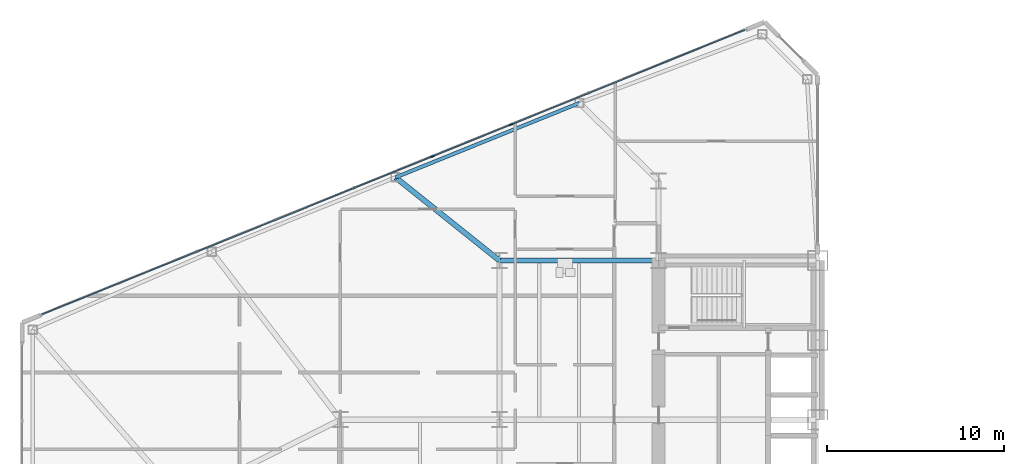
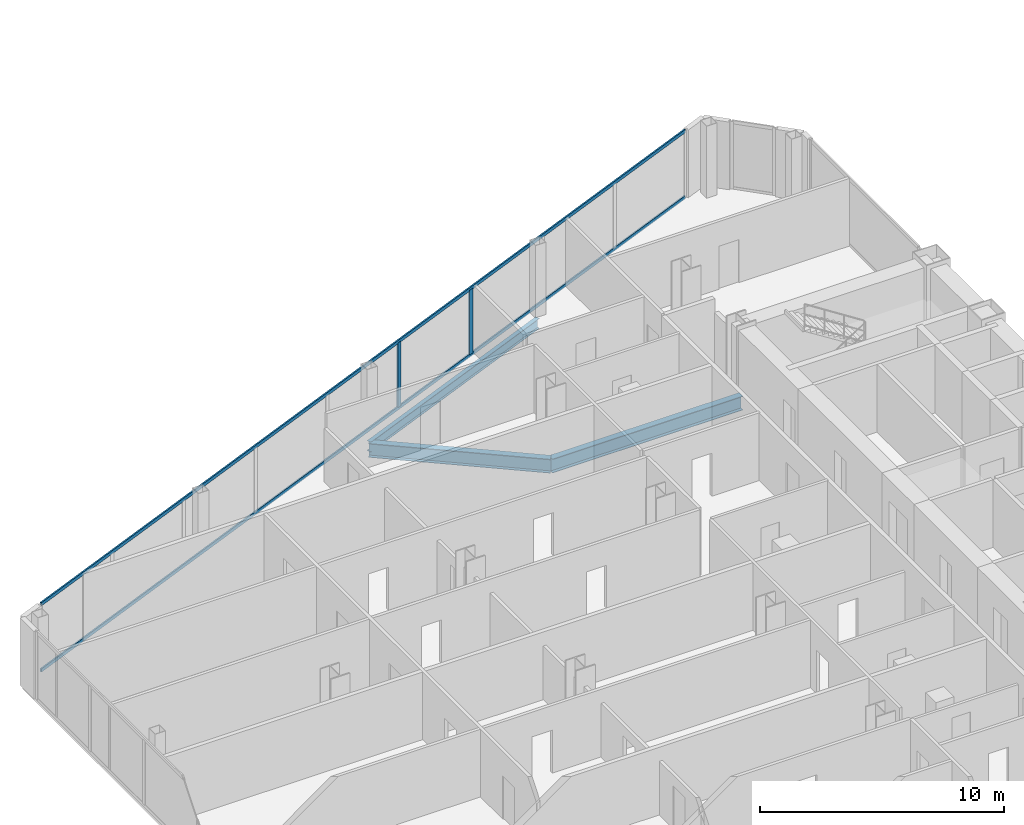
# One storey, part 7 of 25: 4 members, 3 beams, 1 element without a shape of its own.
"""IFC4 building model written with IfcOpenShell, lengths in metres."""

from ifc_helpers import new_model, si_unit, direction, frame, origin, origin_2d, place, context, subcontext, project, spatial, rectangle, i_section, extrude, source, transform, mapped, material, layer, layer_set, material_profile, profile_set, type_object, type_shapes, element, aggregate, save


model = new_model("IFC4")

# Units and contexts
model_context = context("Model", 3, precision=1e-05, world=origin(), true_north=direction((0.0, 1.0)))
body_context = subcontext(model_context, "Body", "Model", "MODEL_VIEW")
ifc_project = project(units=[si_unit("LENGTHUNIT", "METRE"), si_unit("AREAUNIT", "SQUARE_METRE"), si_unit("VOLUMEUNIT", "CUBIC_METRE"), si_unit("PLANEANGLEUNIT", "RADIAN"), si_unit("MASSUNIT", "GRAM", prefix="KILO")], contexts=[model_context])

# Site, building, storey
site_placement = place(None, origin())
site = spatial("IfcSite", under=ifc_project, at=site_placement, CompositionType="ELEMENT")
building_placement = place(site_placement, origin())
building = spatial("IfcBuilding", under=site, at=building_placement, Name="Seokmaru Belvedere", CompositionType="ELEMENT")
storey_placement = place(building_placement, frame((0.0, 0.0, 40.5)))
storey = spatial("IfcBuildingStorey", under=building, at=storey_placement, Name="L10", CompositionType="ELEMENT", Elevation=40.5)

# Beams
ifc_material_1 = material(Name="Steel SM355 (355 MPa)", Category="steel")
ifc_material_profile_1 = material_profile(ifc_material_1, i_section(OverallWidth=0.300048828125, OverallDepth=0.699951171875, WebThickness=0.012939453125, FlangeThickness=0.02392578125, at=origin_2d()), Name="H-700x300x13x24")
ifc_profile_set_1 = profile_set([ifc_material_profile_1], Name="Steel SM355 (355 MPa)")
beam_type_1 = type_object("IfcBeamType", Name="Primary Floor Girder H-700", PredefinedType="BEAM", material=ifc_profile_set_1)
shared_shape_1 = source(origin(), body_context, "Body", "SweptSolid", [
    extrude(i_section(OverallWidth=0.300048828125, OverallDepth=0.699951171875, WebThickness=0.012939453125, FlangeThickness=0.02392578125, at=origin_2d()), origin(), (0.0, 0.0, 1.0), 9.0),
])
beam_1_placement = place(storey_placement, frame((-45.5, 13.5, -0.570068359375), z_axis=(1.0, 0.0, 0.0), x_axis=(0.0, 1.0, 0.0)))
element("IfcBeam", 1, at=beam_1_placement, inside=storey, type_object=beam_type_1, Name="L10 W Wing Primary Girder 4", PredefinedType="BEAM", context=body_context, shape_type="MappedRepresentation", body=[
    mapped(shared_shape_1, transform((0.0, 0.0, 0.0), scale=1.0)),
])
ifc_material_profile_2 = material_profile(ifc_material_1, i_section(OverallWidth=0.199951171875, OverallDepth=0.5, WebThickness=0.010009765625, FlangeThickness=0.01611328125, at=origin_2d()), Name="H-500x200x10x16")
ifc_profile_set_2 = profile_set([ifc_material_profile_2], Name="Steel SM355 (355 MPa)")
beam_type_2 = type_object("IfcBeamType", Name="Perimeter Spandrel Beam H-500", PredefinedType="SPANDREL", material=ifc_profile_set_2)
shared_shape_2 = source(origin(), body_context, "Body", "SweptSolid", [
    extrude(i_section(OverallWidth=0.199951171875, OverallDepth=0.5, WebThickness=0.010009765625, FlangeThickness=0.01611328125, at=origin_2d()), origin(), (0.0, 0.0, 1.0), 11.220703125),
])
type_shapes(beam_type_2, [shared_shape_2])
beam_2_placement = place(storey_placement, frame((-40.977294921875, 22.4140625, -0.469970703125), z_axis=(-0.926944290816, -0.375198989503, 0.0), x_axis=(0.375198989503, -0.926944290816, 0.0)))
element("IfcBeam", 2, at=beam_2_placement, inside=storey, type_object=beam_type_2, Name="L10 W Faceted Flank Spandrel N-2", PredefinedType="SPANDREL", context=body_context, shape_type="MappedRepresentation", body=[
    mapped(shared_shape_2, transform((0.0, 0.0, 0.0), scale=1.0)),
])
shared_shape_3 = source(origin(), body_context, "Body", "SweptSolid", [
    extrude(i_section(OverallWidth=0.300048828125, OverallDepth=0.699951171875, WebThickness=0.012939453125, FlangeThickness=0.02392578125, at=origin_2d()), origin(), (0.0, 0.0, 1.0), 7.52880859375),
])
type_shapes(beam_type_1, [shared_shape_1, shared_shape_3])
beam_3_placement = place(storey_placement, frame((-51.378173828125, 18.2041015625, -0.570068359375), z_axis=(0.780767560736, -0.624821587418, 0.0), x_axis=(0.624821587418, 0.780767560736, 0.0)))
element("IfcBeam", 3, at=beam_3_placement, inside=storey, type_object=beam_type_1, Name="L10 W Flank Radial Floor Girder N-2", PredefinedType="BEAM", context=body_context, shape_type="MappedRepresentation", body=[
    mapped(shared_shape_3, transform((0.0, 0.0, 0.0), scale=1.0)),
])

# Curtain wall, members
ifc_material_2 = material(Name="Bronze Triple Insulating Glass", Category="glass")
ifc_layer = layer(ifc_material_2, 0.2099609375)
ifc_layer_set = layer_set([ifc_layer], Name="Bronze Triple Insulating Glass")
curtain_wall_type = type_object("IfcCurtainWallType", Name="Low-Rise Faceted Crystal Curtain Wall System CW-2", PredefinedType="NOTDEFINED", material=ifc_layer_set)
curtain_wall_placement = place(storey_placement, origin())
curtain_wall = element("IfcCurtainWall", 4, at=curtain_wall_placement, inside=storey, type_object=curtain_wall_type, Name="L10 Curtain Wall WF3", PredefinedType="NOTDEFINED")
ifc_material_3 = material(Name="Anodised Bronze Aluminium", Category="aluminium")
ifc_material_profile_3 = material_profile(ifc_material_3, rectangle(XDim=0.074951171875, YDim=0.2099609375, at=origin_2d()), Name="CW-M-75x210")
ifc_profile_set_3 = profile_set([ifc_material_profile_3], Name="Anodised Bronze Aluminium")
member_type_1 = type_object("IfcMemberType", Name="Bronze Unitised Mullion 75x210", PredefinedType="MULLION", material=ifc_profile_set_3)
shared_shape_4 = source(origin(), body_context, "Body", "SweptSolid", [
    extrude(rectangle(XDim=0.074951171875, YDim=0.2099609375, at=origin_2d()), origin(), (0.0, 0.0, 1.0), 3.239990234375),
])
type_shapes(member_type_1, [shared_shape_4])
member_1_placement = place(storey_placement, frame((-44.855224609375, 21.189453125, 0.070068359375), z_axis=(0.0, 0.0, 1.0), x_axis=(0.375192321888, -0.926946989637, 0.0)))
member_1 = element("IfcMember", 5, at=member_1_placement, type_object=member_type_1, Name="CW:L10:WF3 Mullion 4", PredefinedType="MULLION", context=body_context, shape_type="MappedRepresentation", body=[
    mapped(shared_shape_4, transform((0.0, 0.0, 0.0), scale=1.0)),
])
member_2_placement = place(storey_placement, frame((-49.28515625, 19.396484375, 0.070068359375), z_axis=(0.0, 0.0, 1.0), x_axis=(0.375192321888, -0.926946989637, 0.0)))
member_2 = element("IfcMember", 6, at=member_2_placement, type_object=member_type_1, Name="CW:L10:WF3 Mullion 5", PredefinedType="MULLION", context=body_context, shape_type="MappedRepresentation", body=[
    mapped(shared_shape_4, transform((0.0, 0.0, 0.0), scale=1.0)),
])
ifc_material_profile_4 = material_profile(ifc_material_3, rectangle(XDim=0.070068359375, YDim=0.1650390625, at=origin_2d()), Name="CW-T-70x165")
ifc_profile_set_4 = profile_set([ifc_material_profile_4], Name="Anodised Bronze Aluminium")
member_type_2 = type_object("IfcMemberType", Name="Bronze Unitised Transom 70x165", PredefinedType="USERDEFINED", material=ifc_profile_set_4)
shared_shape_5 = source(origin(), body_context, "Body", "SweptSolid", [
    extrude(rectangle(XDim=0.070068359375, YDim=0.1650390625, at=origin_2d()), origin(), (0.0, 0.0, 1.0), 42.860107421875),
])
type_shapes(member_type_2, [shared_shape_5])
member_3_placement = place(storey_placement, frame((-31.635498046875, 26.540283203125, 0.034912109375), z_axis=(-0.926948605599, -0.375188329481, 0.0), x_axis=(0.375188329481, -0.926948605599, 0.0)))
member_3 = element("IfcMember", 7, at=member_3_placement, type_object=member_type_2, Name="CW:L10:WF3 Continuous Transom 1", ObjectType="TRANSOM", PredefinedType="USERDEFINED", context=body_context, shape_type="MappedRepresentation", body=[
    mapped(shared_shape_5, transform((0.0, 0.0, 0.0), scale=1.0)),
])
member_4_placement = place(storey_placement, frame((-31.635498046875, 26.540283203125, 3.344970703125), z_axis=(-0.926948605599, -0.375188329481, 0.0), x_axis=(0.375188329481, -0.926948605599, 0.0)))
member_4 = element("IfcMember", 8, at=member_4_placement, type_object=member_type_2, Name="CW:L10:WF3 Continuous Transom 2", ObjectType="TRANSOM", PredefinedType="USERDEFINED", context=body_context, shape_type="MappedRepresentation", body=[
    mapped(shared_shape_5, transform((0.0, 0.0, 0.0), scale=1.0)),
])
aggregate(curtain_wall, [member_1, member_2, member_3, member_4])

save(model, "model.ifc")
